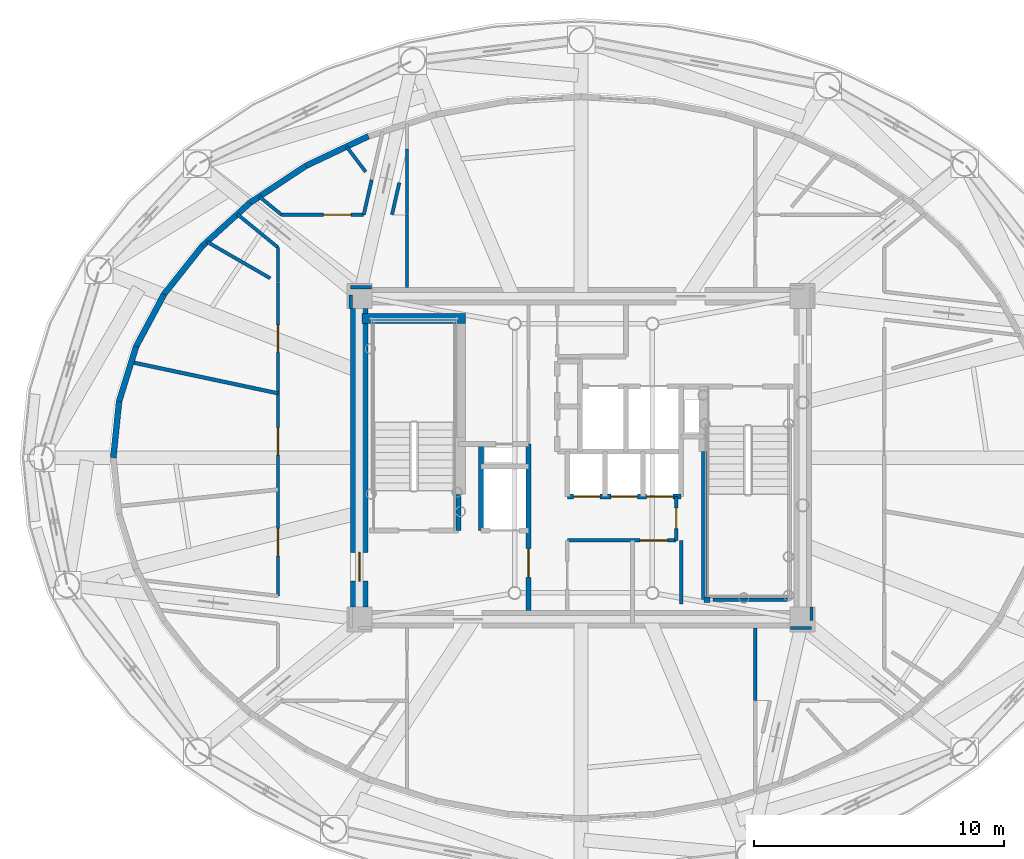
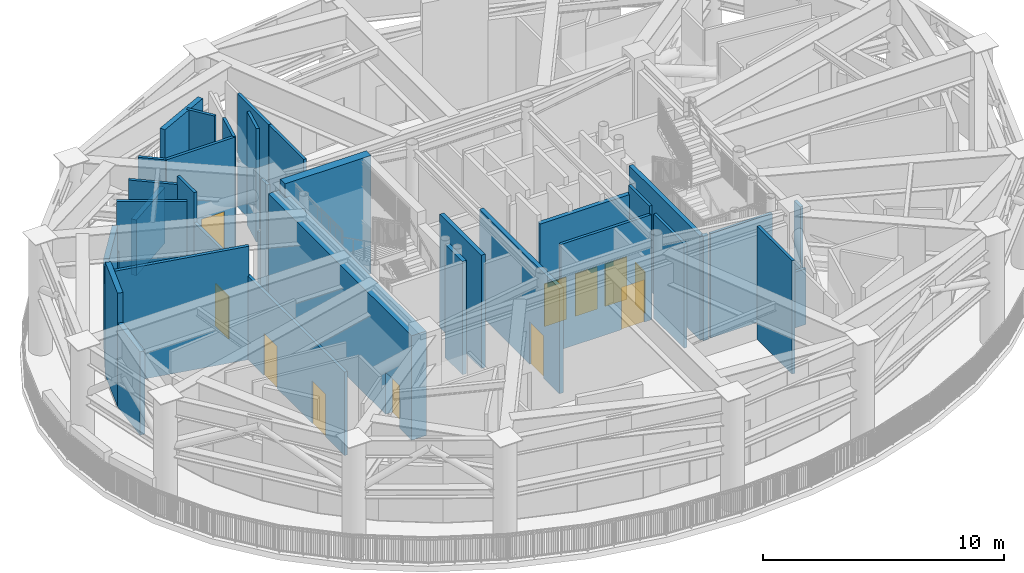
# One storey, part 8 of 17: 36 walls, 11 doors, 11 openings.
"""IFC4 building model written with IfcOpenShell, lengths in metres."""

from ifc_helpers import new_model, si_unit, direction, frame, frame_2d, origin, origin_2d, place, context, subcontext, project, spatial, rectangle, extrude, source, transform, mapped, material, layer, layer_set, type_object, element, fill, save


model = new_model("IFC4")

# Units and contexts
model_context = context("Model", 3, precision=1e-05, world=origin(), true_north=direction((0.0, 1.0)))
body_context = subcontext(model_context, "Body", "Model", "MODEL_VIEW")
ifc_project = project(units=[si_unit("LENGTHUNIT", "METRE"), si_unit("AREAUNIT", "SQUARE_METRE"), si_unit("VOLUMEUNIT", "CUBIC_METRE"), si_unit("PLANEANGLEUNIT", "RADIAN"), si_unit("MASSUNIT", "GRAM", prefix="KILO")], contexts=[model_context])

# Site, building, storey
site_placement = place(None, origin())
site = spatial("IfcSite", under=ifc_project, at=site_placement, CompositionType="ELEMENT")
building_placement = place(site_placement, origin())
building = spatial("IfcBuilding", under=site, at=building_placement, Name="Linh Dai School and Residence Tower", CompositionType="ELEMENT")
storey_placement = place(building_placement, frame((0.0, 0.0, 318.0)))
storey = spatial("IfcBuildingStorey", under=building, at=storey_placement, Name="L79", CompositionType="ELEMENT", Elevation=318.0)

# Walls
ifc_material_1 = material(Name="Precast Concrete B45 (C35/45)", Category="concrete")
ifc_layer_1 = layer(ifc_material_1, 0.239990234375)
ifc_layer_set_1 = layer_set([ifc_layer_1], Name="Precast Concrete B45 (C35/45)")
wall_type_1 = type_object("IfcWallType", Name="EW-TC-240", PredefinedType="SOLIDWALL", material=ifc_layer_set_1)
wall_1_placement = place(storey_placement, frame((25.010986328125, 38.654052734375, 0.0), z_axis=(0.0, 0.0, 1.0), x_axis=(0.903637179904, 0.428298782505, 0.0)))
element("IfcWall", 1, at=wall_1_placement, inside=storey, type_object=wall_type_1, Name="L79 Terracotta Exterior Wall 14", PredefinedType="SOLIDWALL", context=body_context, shape_type="SweptSolid", body=[
    extrude(rectangle(XDim=2.766357421875, YDim=0.239990234375, at=frame_2d((1.38330078125, 0.0))), origin(), (0.0, 0.0, 1.0), 5.75),
])
wall_2_placement = place(storey_placement, frame((22.782958984375, 37.182373046875, 0.0), z_axis=(0.0, 0.0, 1.0), x_axis=(0.834405901953, 0.551150424827, 0.0)))
element("IfcWall", 2, at=wall_2_placement, inside=storey, type_object=wall_type_1, Name="L79 Terracotta Exterior Wall 15", PredefinedType="SOLIDWALL", context=body_context, shape_type="SweptSolid", body=[
    extrude(rectangle(XDim=2.670166015625, YDim=0.239990234375, at=frame_2d((1.3349609375, 0.0))), origin(), (0.0, 0.0, 1.0), 2.83203125),
])
wall_3_placement = place(storey_placement, frame((20.881591796875, 35.460693359375, 0.0), z_axis=(0.0, 0.0, 1.0), x_axis=(0.741265131079, 0.671212340058, 0.0)))
element("IfcWall", 3, at=wall_3_placement, inside=storey, type_object=wall_type_1, Name="L79 Terracotta Exterior Wall 16", PredefinedType="SOLIDWALL", context=body_context, shape_type="SweptSolid", body=[
    extrude(rectangle(XDim=2.56494140625, YDim=0.239990234375, at=frame_2d((1.282470703125, 0.0))), origin(), (0.0, 0.0, 1.0), 2.83203125),
])
wall_4_placement = place(storey_placement, frame((19.353515625, 33.5322265625, 0.0), z_axis=(0.0, 0.0, 1.0), x_axis=(0.621045987707, 0.783774126361, 0.0)))
element("IfcWall", 4, at=wall_4_placement, inside=storey, type_object=wall_type_1, Name="L79 Terracotta Exterior Wall 17", PredefinedType="SOLIDWALL", context=body_context, shape_type="SweptSolid", body=[
    extrude(rectangle(XDim=2.46044921875, YDim=0.239990234375, at=frame_2d((1.230224609375, 0.0))), origin(), (0.0, 0.0, 1.0), 4.235107421875),
])
wall_5_placement = place(storey_placement, frame((18.2353515625, 31.444580078125, 0.0), z_axis=(0.0, 0.0, 1.0), x_axis=(0.472149891985, 0.881518280865, 0.0)))
element("IfcWall", 5, at=wall_5_placement, inside=storey, type_object=wall_type_1, Name="L79 Terracotta Exterior Wall 18", PredefinedType="SOLIDWALL", context=body_context, shape_type="SweptSolid", body=[
    extrude(rectangle(XDim=2.3681640625, YDim=0.239990234375, at=frame_2d((1.18408203125, 0.0))), origin(), (0.0, 0.0, 1.0), 4.235107421875),
])
wall_6_placement = place(storey_placement, frame((17.553955078125, 29.24951171875, 0.0), z_axis=(0.0, 0.0, 1.0), x_axis=(0.296466035026, 0.95504339696, 0.0)))
element("IfcWall", 6, at=wall_6_placement, inside=storey, type_object=wall_type_1, Name="L79 Terracotta Exterior Wall 19", PredefinedType="SOLIDWALL", context=body_context, shape_type="SweptSolid", body=[
    extrude(rectangle(XDim=2.29833984375, YDim=0.239990234375, at=frame_2d((1.149169921875, 0.0))), origin(), (0.0, 0.0, 1.0), 5.75),
])
wall_7_placement = place(storey_placement, frame((17.324951171875, 27.0, 0.0), z_axis=(0.0, 0.0, 1.0), x_axis=(0.101278157468, 0.994858148089, 0.0)))
element("IfcWall", 7, at=wall_7_placement, inside=storey, type_object=wall_type_1, Name="L79 Terracotta Exterior Wall 20", PredefinedType="SOLIDWALL", context=body_context, shape_type="SweptSolid", body=[
    extrude(rectangle(XDim=2.26123046875, YDim=0.239990234375, at=frame_2d((1.130615234375, 0.0))), origin(), (0.0, 0.0, 1.0), 4.235107421875),
])
ifc_material_2 = material(Name="Autoclaved Aerated Concrete Blockwork", Category="masonry")
ifc_layer_2 = layer(ifc_material_2, 0.135009765625)
ifc_layer_set_2 = layer_set([ifc_layer_2], Name="Autoclaved Aerated Concrete Blockwork")
wall_type_2 = type_object("IfcWallType", Name="IW-CORR-135-EI90", PredefinedType="PARTITIONING", material=ifc_layer_set_2)
wall_8_placement = place(storey_placement, frame((23.148681640625, 37.43017578125, 0.0), z_axis=(0.0, 0.0, 1.0), x_axis=(0.774324787676, -0.632788371568, 0.0)))
element("IfcWall", 8, at=wall_8_placement, inside=storey, type_object=wall_type_2, Name="L79 Interior Partition Wall 005", PredefinedType="PARTITIONING", context=body_context, shape_type="SweptSolid", body=[
    extrude(rectangle(XDim=1.154052734375, YDim=0.135009765625, at=frame_2d((0.5771484375, 0.0))), origin(), (0.0, 0.0, 1.0), 5.75),
])

# Wall, openings, doors
wall_9_placement = place(storey_placement, frame((23.89990234375, 21.481201171875, 0.0), z_axis=(0.0, 0.0, 1.0), x_axis=(0.0, 1.0, 0.0)))
wall_9 = element("IfcWall", 9, at=wall_9_placement, inside=storey, type_object=wall_type_2, Name="L79 Interior Partition Wall 006", PredefinedType="PARTITIONING", context=body_context, shape_type="SweptSolid", body=[
    extrude(rectangle(XDim=12.504638671875, YDim=0.135009765625, at=frame_2d((6.25244140625, 0.0))), origin(), (0.0, 0.0, 1.0), 4.235107421875),
])
opening_1_placement = place(wall_9_placement, frame((9.727783203125, 0.0, 0.0)))
opening_1 = element("IfcOpeningElement", 10, at=opening_1_placement, cuts=wall_9, Name="Opening D07", PredefinedType="OPENING", context=body_context, shape_type="SweptSolid", body=[
    extrude(rectangle(XDim=1.10009765625, YDim=2.14990234375, at=origin_2d()), frame((0.550048828125, 0.07763671875, 1.074951171875), z_axis=(0.0, -1.0, 0.0), x_axis=(1.0, 0.0, 0.0)), (0.0, 0.0, 1.0), 0.155029296875),
])
opening_2_placement = place(wall_9_placement, frame((5.618896484375, 0.0, 0.0)))
opening_2 = element("IfcOpeningElement", 11, at=opening_2_placement, cuts=wall_9, Name="Opening D07", PredefinedType="OPENING", context=body_context, shape_type="SweptSolid", body=[
    extrude(rectangle(XDim=1.10009765625, YDim=2.14990234375, at=origin_2d()), frame((0.550048828125, 0.07763671875, 1.074951171875), z_axis=(0.0, -1.0, 0.0), x_axis=(1.0, 0.0, 0.0)), (0.0, 0.0, 1.0), 0.155029296875),
])
opening_3_placement = place(wall_9_placement, frame((1.593505859375, 0.0, 0.0)))
opening_3 = element("IfcOpeningElement", 12, at=opening_3_placement, cuts=wall_9, Name="Opening D07", PredefinedType="OPENING", context=body_context, shape_type="SweptSolid", body=[
    extrude(rectangle(XDim=1.10009765625, YDim=2.14990234375, at=origin_2d()), frame((0.550048828125, 0.07763671875, 1.074951171875), z_axis=(0.0, -1.0, 0.0), x_axis=(1.0, 0.0, 0.0)), (0.0, 0.0, 1.0), 0.155029296875),
])
ifc_material_3 = material(Name="Fire-Rated Louvred Steel Plant Door", Category="steel")
door_type_1 = type_object("IfcDoorType", Name="DR-PLT-1100x2150-FD60S", OperationType="NOTDEFINED", PredefinedType="DOOR", material=ifc_material_3)
shared_shape_1 = source(origin(), body_context, "Body", "SweptSolid", [
    extrude(rectangle(XDim=1.10009765625, YDim=2.14990234375, at=origin_2d()), frame((0.550048828125, 0.02490234375, 1.074951171875), z_axis=(0.0, -1.0, 0.0), x_axis=(1.0, 0.0, 0.0)), (0.0, 0.0, 1.0), 0.050048828125),
])
door_1_placement = place(opening_1_placement, origin())
door_1 = element("IfcDoor", 13, at=door_1_placement, inside=storey, type_object=door_type_1, Name="L79 Heat-Recovery Ventilation Plant Room West 1 Door", OperationType="SINGLE_SWING_LEFT", OverallHeight=2.14990234375, OverallWidth=1.10009765625, PredefinedType="DOOR", context=body_context, shape_type="MappedRepresentation", body=[
    mapped(shared_shape_1, transform((0.0, 0.0, 0.0), x_axis=(1.0, 0.0, 0.0), y_axis=(0.0, 1.0, 0.0), z_axis=(0.0, 0.0, 1.0), scale=1.0)),
])
fill(opening_1, door_1)
door_2_placement = place(opening_2_placement, origin())
door_2 = element("IfcDoor", 14, at=door_2_placement, inside=storey, type_object=door_type_1, Name="L79 Chilled-Water Heat-Exchanger Plant Room West Door", OperationType="SINGLE_SWING_RIGHT", OverallHeight=2.14990234375, OverallWidth=1.10009765625, PredefinedType="DOOR", context=body_context, shape_type="MappedRepresentation", body=[
    mapped(shared_shape_1, transform((0.0, 0.0, 0.0), x_axis=(1.0, 0.0, 0.0), y_axis=(0.0, 1.0, 0.0), z_axis=(0.0, 0.0, 1.0), scale=1.0)),
])
fill(opening_2, door_2)
door_3_placement = place(opening_3_placement, origin())
door_3 = element("IfcDoor", 15, at=door_3_placement, inside=storey, type_object=door_type_1, Name="L79 Heat-Recovery Ventilation Plant Room West 2 Door", OperationType="SINGLE_SWING_LEFT", OverallHeight=2.14990234375, OverallWidth=1.10009765625, PredefinedType="DOOR", context=body_context, shape_type="MappedRepresentation", body=[
    mapped(shared_shape_1, transform((0.0, 0.0, 0.0), x_axis=(1.0, 0.0, 0.0), y_axis=(0.0, 1.0, 0.0), z_axis=(0.0, 0.0, 1.0), scale=1.0)),
])
fill(opening_3, door_3)

# Wall, opening, door
wall_10_placement = place(storey_placement, frame((24.042236328125, 36.699951171875, 0.0), z_axis=(0.0, 0.0, 1.0), x_axis=(1.0, 0.0, 0.0)))
wall_10 = element("IfcWall", 16, at=wall_10_placement, inside=storey, type_object=wall_type_2, Name="L79 Interior Partition Wall 008", PredefinedType="PARTITIONING", context=body_context, shape_type="SweptSolid", body=[
    extrude(rectangle(XDim=3.2822265625, YDim=0.135009765625, at=frame_2d((1.64111328125, 0.0))), origin(), (0.0, 0.0, 1.0), 5.75),
])
opening_4_placement = place(wall_10_placement, frame((1.673828125, 0.0, 0.0)))
opening_4 = element("IfcOpeningElement", 17, at=opening_4_placement, cuts=wall_10, Name="Opening D07", PredefinedType="OPENING", context=body_context, shape_type="SweptSolid", body=[
    extrude(rectangle(XDim=1.10009765625, YDim=2.14990234375, at=origin_2d()), frame((0.550048828125, 0.07763671875, 1.074951171875), z_axis=(0.0, -1.0, 0.0), x_axis=(1.0, 0.0, 0.0)), (0.0, 0.0, 1.0), 0.155029296875),
])
door_4_placement = place(opening_4_placement, origin())
door_4 = element("IfcDoor", 18, at=door_4_placement, inside=storey, type_object=door_type_1, Name="L79 Zone LV Switchboard Plant Room Door", OperationType="SINGLE_SWING_RIGHT", OverallHeight=2.14990234375, OverallWidth=1.10009765625, PredefinedType="DOOR", context=body_context, shape_type="MappedRepresentation", body=[
    mapped(shared_shape_1, transform((0.0, 0.0, 0.0), x_axis=(1.0, 0.0, 0.0), y_axis=(0.0, 1.0, 0.0), z_axis=(0.0, 0.0, 1.0), scale=1.0)),
])
fill(opening_4, door_4)

# Walls
wall_11_placement = place(storey_placement, frame((27.324462890625, 36.699951171875, 0.0), z_axis=(0.0, 0.0, 1.0), x_axis=(0.221525059427, 0.975154679036, 0.0)))
element("IfcWall", 19, at=wall_11_placement, inside=storey, type_object=wall_type_2, Name="L79 Interior Partition Wall 010", PredefinedType="PARTITIONING", context=body_context, shape_type="SweptSolid", body=[
    extrude(rectangle(XDim=1.42822265625, YDim=0.135009765625, at=frame_2d((0.714111328125, 0.0))), origin(), (0.0, 0.0, 1.0), 5.75),
])
wall_12_placement = place(storey_placement, frame((29.050048828125, 33.800048828125, 0.0), z_axis=(0.0, 0.0, 1.0), x_axis=(0.0, 1.0, 0.0)))
element("IfcWall", 20, at=wall_12_placement, inside=storey, type_object=wall_type_2, Name="L79 Interior Partition Wall 013", PredefinedType="PARTITIONING", context=body_context, shape_type="SweptSolid", body=[
    extrude(rectangle(XDim=2.89990234375, YDim=0.135009765625, at=frame_2d((1.449951171875, 0.0))), origin(), (0.0, 0.0, 1.0), 5.75),
])

# Wall, opening, door
wall_13_placement = place(storey_placement, frame((35.449951171875, 23.699951171875, 0.0), z_axis=(0.0, 0.0, 1.0), x_axis=(1.0, 0.0, 0.0)))
wall_13 = element("IfcWall", 21, at=wall_13_placement, inside=storey, type_object=wall_type_2, Name="L79 Interior Partition Wall 029", PredefinedType="PARTITIONING", context=body_context, shape_type="SweptSolid", body=[
    extrude(rectangle(XDim=4.35009765625, YDim=0.135009765625, at=frame_2d((2.175048828125, 0.0))), origin(), (0.0, 0.0, 1.0), 5.3349609375),
])
opening_5_placement = place(wall_13_placement, frame((2.905029296875, 0.0, 0.0)))
opening_5 = element("IfcOpeningElement", 22, at=opening_5_placement, cuts=wall_13, Name="Opening D07", PredefinedType="OPENING", context=body_context, shape_type="SweptSolid", body=[
    extrude(rectangle(XDim=1.10009765625, YDim=2.14990234375, at=origin_2d()), frame((0.550048828125, 0.07763671875, 1.074951171875), z_axis=(0.0, -1.0, 0.0), x_axis=(1.0, 0.0, 0.0)), (0.0, 0.0, 1.0), 0.155029296875),
])
door_5_placement = place(opening_5_placement, origin())
door_5 = element("IfcDoor", 23, at=door_5_placement, inside=storey, type_object=door_type_1, Name="L79 Telecom Node Room Door", OperationType="SINGLE_SWING_LEFT", OverallHeight=2.14990234375, OverallWidth=1.10009765625, PredefinedType="DOOR", context=body_context, shape_type="MappedRepresentation", body=[
    mapped(shared_shape_1, transform((0.0, 0.0, 0.0), x_axis=(1.0, 0.0, 0.0), y_axis=(0.0, 1.0, 0.0), z_axis=(0.0, 0.0, 1.0), scale=1.0)),
])
fill(opening_5, door_5)

wall_14_placement = place(storey_placement, frame((39.800048828125, 23.699951171875, 0.0), z_axis=(0.0, 0.0, 1.0), x_axis=(0.0, 1.0, 0.0)))
wall_14 = element("IfcWall", 24, at=wall_14_placement, inside=storey, type_object=wall_type_2, Name="L79 Interior Partition Wall 040", PredefinedType="PARTITIONING", context=body_context, shape_type="SweptSolid", body=[
    extrude(rectangle(XDim=1.75, YDim=0.135009765625, at=frame_2d((0.875, 0.0))), origin(), (0.0, 0.0, 1.0), 5.75),
])
opening_6_placement = place(wall_14_placement, frame((0.465087890625, 0.0, 0.0)))
opening_6 = element("IfcOpeningElement", 25, at=opening_6_placement, cuts=wall_14, Name="Opening D06", PredefinedType="OPENING", context=body_context, shape_type="SweptSolid", body=[
    extrude(rectangle(XDim=0.820068359375, YDim=2.10009765625, at=origin_2d()), frame((0.41015625, 0.07763671875, 1.050048828125), z_axis=(0.0, -1.0, 0.0), x_axis=(1.0, 0.0, 0.0)), (0.0, 0.0, 1.0), 0.155029296875),
])
ifc_material_4 = material(Name="Moisture-Resistant Timber Bathroom Door", Category="wood")
door_type_2 = type_object("IfcDoorType", Name="DR-WET-820x2100", OperationType="NOTDEFINED", PredefinedType="DOOR", material=ifc_material_4)
shared_shape_2 = source(origin(), body_context, "Body", "SweptSolid", [
    extrude(rectangle(XDim=0.820068359375, YDim=2.10009765625, at=origin_2d()), frame((0.41015625, 0.02490234375, 1.050048828125), z_axis=(0.0, -1.0, 0.0), x_axis=(1.0, 0.0, 0.0)), (0.0, 0.0, 1.0), 0.050048828125),
])
door_6_placement = place(opening_6_placement, origin())
door_6 = element("IfcDoor", 26, at=door_6_placement, inside=storey, type_object=door_type_2, Name="L79 East Linen Store Door", OperationType="SINGLE_SWING_RIGHT", OverallHeight=2.10009765625, OverallWidth=0.820068359375, PredefinedType="DOOR", context=body_context, shape_type="MappedRepresentation", body=[
    mapped(shared_shape_2, transform((0.0, 0.0, 0.0), x_axis=(1.0, 0.0, 0.0), y_axis=(0.0, 1.0, 0.0), z_axis=(0.0, 0.0, 1.0), scale=1.0)),
])
fill(opening_6, door_6)

# Walls
wall_15_placement = place(storey_placement, frame((42.949951171875, 17.300048828125, 0.0), z_axis=(0.0, 0.0, 1.0), x_axis=(0.0, 1.0, 0.0)))
element("IfcWall", 27, at=wall_15_placement, inside=storey, type_object=wall_type_2, Name="L79 Interior Partition Wall 046", PredefinedType="PARTITIONING", context=body_context, shape_type="SweptSolid", body=[
    extrude(rectangle(XDim=2.89990234375, YDim=0.135009765625, at=frame_2d((1.449951171875, 0.0))), origin(), (0.0, 0.0, 1.0), 5.75),
])
wall_16_placement = place(storey_placement, frame((44.239990234375, 21.330078125, 0.0), z_axis=(0.0, 0.0, 1.0), x_axis=(-1.0, 0.0, 0.0)))
element("IfcWall", 28, at=wall_16_placement, inside=storey, type_object=wall_type_2, Name="L79 Interior Partition Wall 054", PredefinedType="PARTITIONING", context=body_context, shape_type="SweptSolid", body=[
    extrude(rectangle(XDim=2.97998046875, YDim=0.135009765625, at=frame_2d((1.489990234375, 0.0))), origin(), (0.0, 0.0, 1.0), 5.284912109375),
])
wall_17_placement = place(storey_placement, frame((40.0, 23.699951171875, 0.0), z_axis=(0.0, 0.0, 1.0), x_axis=(0.0, -1.0, 0.0)))
element("IfcWall", 29, at=wall_17_placement, inside=storey, type_object=wall_type_2, Name="L79 Interior Partition Wall 055", PredefinedType="PARTITIONING", context=body_context, shape_type="SweptSolid", body=[
    extrude(rectangle(XDim=2.5400390625, YDim=0.135009765625, at=frame_2d((1.27001953125, 0.0))), origin(), (0.0, 0.0, 1.0), 5.284912109375),
])
wall_18_placement = place(storey_placement, frame((29.050048828125, 36.7099609375, 0.0), z_axis=(0.0, 0.0, 1.0), x_axis=(0.0, 1.0, 0.0)))
element("IfcWall", 30, at=wall_18_placement, inside=storey, type_object=wall_type_2, Name="L79 Interior Partition Wall 056", PredefinedType="PARTITIONING", context=body_context, shape_type="SweptSolid", body=[
    extrude(rectangle(XDim=2.60986328125, YDim=0.135009765625, at=frame_2d((1.304931640625, 0.0))), origin(), (0.0, 0.0, 1.0), 5.75),
])
wall_19_placement = place(storey_placement, frame((23.89990234375, 33.995849609375, 0.0), z_axis=(0.0, 0.0, 1.0), x_axis=(0.0, 1.0, 0.0)))
element("IfcWall", 31, at=wall_19_placement, inside=storey, type_object=wall_type_2, Name="L79 Interior Partition Wall 061", PredefinedType="PARTITIONING", context=body_context, shape_type="SweptSolid", body=[
    extrude(rectangle(XDim=1.39990234375, YDim=0.135009765625, at=frame_2d((0.699951171875, 0.0))), origin(), (0.0, 0.0, 1.0), 5.75),
])
wall_20_placement = place(storey_placement, frame((23.89990234375, 35.395751953125, 0.0), z_axis=(0.0, 0.0, 1.0), x_axis=(-0.774324461251, 0.632788771003, 0.0)))
element("IfcWall", 32, at=wall_20_placement, inside=storey, type_object=wall_type_2, Name="L79 Interior Partition Wall 062", PredefinedType="PARTITIONING", context=body_context, shape_type="SweptSolid", body=[
    extrude(rectangle(XDim=2.102783203125, YDim=0.135009765625, at=frame_2d((1.05126953125, 0.0))), origin(), (0.0, 0.0, 1.0), 5.3349609375),
])
wall_21_placement = place(storey_placement, frame((28.742431640625, 37.976318359375, 0.0), z_axis=(0.0, 0.0, 1.0), x_axis=(-0.221588855945, -0.975140184241, 0.0)))
element("IfcWall", 33, at=wall_21_placement, inside=storey, type_object=wall_type_2, Name="L79 Interior Partition Wall 064", PredefinedType="PARTITIONING", context=body_context, shape_type="SweptSolid", body=[
    extrude(rectangle(XDim=1.308837890625, YDim=0.135009765625, at=frame_2d((0.654296875, 0.0))), origin(), (0.0, 0.0, 1.0), 5.75),
])
wall_22_placement = place(storey_placement, frame((27.639892578125, 33.800048828125, 0.0), z_axis=(0.0, 0.0, 1.0), x_axis=(-1.0, 0.0, 0.0)))
element("IfcWall", 34, at=wall_22_placement, inside=storey, type_object=wall_type_2, Name="L79 Interior Partition Wall 065", PredefinedType="PARTITIONING", context=body_context, shape_type="SweptSolid", body=[
    extrude(rectangle(XDim=0.83984375, YDim=0.135009765625, at=frame_2d((0.419921875, 0.0))), origin(), (0.0, 0.0, 1.0), 2.83203125),
])
wall_23_placement = place(storey_placement, frame((26.800048828125, 33.492431640625, 0.0), z_axis=(0.0, 0.0, 1.0), x_axis=(0.0, -1.0, 0.0)))
element("IfcWall", 35, at=wall_23_placement, inside=storey, type_object=wall_type_2, Name="L79 Interior Partition Wall 066", PredefinedType="PARTITIONING", context=body_context, shape_type="SweptSolid", body=[
    extrude(rectangle(XDim=0.532470703125, YDim=0.135009765625, at=frame_2d((0.26611328125, 0.0))), origin(), (0.0, 0.0, 1.0), 5.75),
])
wall_24_placement = place(storey_placement, frame((44.360107421875, 20.199951171875, 0.0), z_axis=(0.0, 0.0, 1.0), x_axis=(1.0, 0.0, 0.0)))
element("IfcWall", 36, at=wall_24_placement, inside=storey, type_object=wall_type_2, Name="L79 Interior Partition Wall 071", PredefinedType="PARTITIONING", context=body_context, shape_type="SweptSolid", body=[
    extrude(rectangle(XDim=0.83984375, YDim=0.135009765625, at=frame_2d((0.419921875, 0.0))), origin(), (0.0, 0.0, 1.0), 2.83203125),
])
wall_25_placement = place(storey_placement, frame((45.199951171875, 20.507568359375, 0.0), z_axis=(0.0, 0.0, 1.0), x_axis=(0.0, 1.0, 0.0)))
element("IfcWall", 37, at=wall_25_placement, inside=storey, type_object=wall_type_2, Name="L79 Interior Partition Wall 072", PredefinedType="PARTITIONING", context=body_context, shape_type="SweptSolid", body=[
    extrude(rectangle(XDim=0.532470703125, YDim=0.135009765625, at=frame_2d((0.26611328125, 0.0))), origin(), (0.0, 0.0, 1.0), 5.75),
])
wall_26_placement = place(storey_placement, frame((26.634033203125, 39.428955078125, 0.0), z_axis=(0.0, 0.0, 1.0), x_axis=(0.601843134743, -0.798614325668, 0.0)))
element("IfcWall", 38, at=wall_26_placement, inside=storey, type_object=wall_type_2, Name="L79 Interior Partition Wall 087", PredefinedType="PARTITIONING", context=body_context, shape_type="SweptSolid", body=[
    extrude(rectangle(XDim=1.2705078125, YDim=0.135009765625, at=frame_2d((0.63525390625, 0.0))), origin(), (0.0, 0.0, 1.0), 5.75),
])
wall_27_placement = place(storey_placement, frame((21.0576171875, 35.626953125, 0.0), z_axis=(0.0, 0.0, 1.0), x_axis=(0.866048079195, -0.49996072298, 0.0)))
element("IfcWall", 39, at=wall_27_placement, inside=storey, type_object=wall_type_2, Name="L79 Interior Partition Wall 088", PredefinedType="PARTITIONING", context=body_context, shape_type="SweptSolid", body=[
    extrude(rectangle(XDim=2.927001953125, YDim=0.135009765625, at=frame_2d((1.46337890625, 0.0))), origin(), (0.0, 0.0, 1.0), 5.3349609375),
])
ifc_layer_3 = layer(ifc_material_2, 0.14990234375)
ifc_layer_set_3 = layer_set([ifc_layer_3], Name="Autoclaved Aerated Concrete Blockwork")
wall_type_3 = type_object("IfcWallType", Name="IW-SCH-150-EI60", PredefinedType="PARTITIONING", material=ifc_layer_set_3)
wall_28_placement = place(storey_placement, frame((18.03564453125, 30.818359375, 0.0), z_axis=(0.0, 0.0, 1.0), x_axis=(0.978152640753, -0.207887977979, 0.0)))
element("IfcWall", 40, at=wall_28_placement, inside=storey, type_object=wall_type_3, Name="L79 Interior Partition Wall 002", PredefinedType="PARTITIONING", context=body_context, shape_type="SweptSolid", body=[
    extrude(rectangle(XDim=5.9951171875, YDim=0.14990234375, at=frame_2d((2.99755859375, 0.0))), origin(), (0.0, 0.0, 1.0), 5.75),
])
ifc_material_5 = material(Name="Concrete B45 (C35/45)", Category="concrete")
ifc_layer_4 = layer(ifc_material_5, 0.199951171875)
ifc_layer_set_4 = layer_set([ifc_layer_4], Name="Concrete B45 (C35/45)")
wall_type_4 = type_object("IfcWallType", Name="IW-SHAFT-200-EI120", PredefinedType="PARTITIONING", material=ifc_layer_set_4)
wall_29_placement = place(storey_placement, frame((31.10009765625, 24.10009765625, 0.0), z_axis=(0.0, 0.0, 1.0), x_axis=(0.0, 1.0, 0.0)))
element("IfcWall", 41, at=wall_29_placement, inside=storey, type_object=wall_type_4, Name="L79 Interior Partition Wall 015", PredefinedType="PARTITIONING", context=body_context, shape_type="SweptSolid", body=[
    extrude(rectangle(XDim=1.43994140625, YDim=0.199951171875, at=frame_2d((0.719970703125, 0.0))), origin(), (0.0, 0.0, 1.0), 5.75),
])
wall_30_placement = place(storey_placement, frame((32.0, 24.10009765625, 0.0), z_axis=(0.0, 0.0, 1.0), x_axis=(0.0, 1.0, 0.0)))
element("IfcWall", 42, at=wall_30_placement, inside=storey, type_object=wall_type_4, Name="L79 Interior Partition Wall 017", PredefinedType="PARTITIONING", context=body_context, shape_type="SweptSolid", body=[
    extrude(rectangle(XDim=3.449951171875, YDim=0.199951171875, at=frame_2d((1.72509765625, 0.0))), origin(), (0.0, 0.0, 1.0), 5.75),
])

# Wall, opening, door
wall_31_placement = place(storey_placement, frame((33.89990234375, 20.89990234375, 0.0), z_axis=(0.0, 0.0, 1.0), x_axis=(0.0, 1.0, 0.0)))
wall_31 = element("IfcWall", 43, at=wall_31_placement, inside=storey, type_object=wall_type_4, Name="L79 Interior Partition Wall 020", PredefinedType="PARTITIONING", context=body_context, shape_type="SweptSolid", body=[
    extrude(rectangle(XDim=6.650146484375, YDim=0.199951171875, at=frame_2d((3.3251953125, 0.0))), origin(), (0.0, 0.0, 1.0), 5.3349609375),
])
opening_7_placement = place(wall_31_placement, frame((1.322509765625, 0.0, 0.0)))
opening_7 = element("IfcOpeningElement", 44, at=opening_7_placement, cuts=wall_31, Name="Opening D02", PredefinedType="OPENING", context=body_context, shape_type="SweptSolid", body=[
    extrude(rectangle(XDim=1.14990234375, YDim=2.14990234375, at=origin_2d()), frame((0.574951171875, 0.10986328125, 1.074951171875), z_axis=(0.0, -1.0, 0.0), x_axis=(1.0, 0.0, 0.0)), (0.0, 0.0, 1.0), 0.219970703125),
])
ifc_material_6 = material(Name="Fire-Rated Glazed Steel Lobby Door", Category="steel")
door_type_3 = type_object("IfcDoorType", Name="DR-LOBBY-1150x2150-FD90S", OperationType="NOTDEFINED", PredefinedType="DOOR", material=ifc_material_6)
shared_shape_3 = source(origin(), body_context, "Body", "SweptSolid", [
    extrude(rectangle(XDim=1.14990234375, YDim=2.14990234375, at=origin_2d()), frame((0.574951171875, 0.02490234375, 1.074951171875), z_axis=(0.0, -1.0, 0.0), x_axis=(1.0, 0.0, 0.0)), (0.0, 0.0, 1.0), 0.050048828125),
])
door_7_placement = place(opening_7_placement, origin())
door_7 = element("IfcDoor", 45, at=door_7_placement, inside=storey, type_object=door_type_3, Name="L79 Passenger Foyer Access Door", OperationType="SINGLE_SWING_LEFT", OverallHeight=2.14990234375, OverallWidth=1.14990234375, PredefinedType="DOOR", context=body_context, shape_type="MappedRepresentation", body=[
    mapped(shared_shape_3, transform((0.0, 0.0, 0.0), x_axis=(1.0, 0.0, 0.0), y_axis=(0.0, 1.0, 0.0), z_axis=(0.0, 0.0, 1.0), scale=1.0)),
])
fill(opening_7, door_7)

# Wall, openings, doors
wall_32_placement = place(storey_placement, frame((35.449951171875, 25.449951171875, 0.0), z_axis=(0.0, 0.0, 1.0), x_axis=(1.0, 0.0, 0.0)))
wall_32 = element("IfcWall", 46, at=wall_32_placement, inside=storey, type_object=wall_type_4, Name="L79 Interior Partition Wall 031", PredefinedType="PARTITIONING", context=body_context, shape_type="SweptSolid", body=[
    extrude(rectangle(XDim=4.550048828125, YDim=0.199951171875, at=frame_2d((2.27490234375, 0.0))), origin(), (0.0, 0.0, 1.0), 5.3349609375),
])
opening_8_placement = place(wall_32_placement, frame((0.25, 0.0, 0.0)))
opening_8 = element("IfcOpeningElement", 47, at=opening_8_placement, cuts=wall_32, Name="Opening LD-PL7", PredefinedType="OPENING", context=body_context, shape_type="SweptSolid", body=[
    extrude(rectangle(XDim=1.050048828125, YDim=2.14990234375, at=origin_2d()), frame((0.52490234375, 0.10986328125, 1.074951171875), z_axis=(0.0, -1.0, 0.0), x_axis=(1.0, 0.0, 0.0)), (0.0, 0.0, 1.0), 0.219970703125),
])
opening_9_placement = place(wall_32_placement, frame((1.7451171875, 0.0, 0.0)))
opening_9 = element("IfcOpeningElement", 48, at=opening_9_placement, cuts=wall_32, Name="Opening LD-PL8", PredefinedType="OPENING", context=body_context, shape_type="SweptSolid", body=[
    extrude(rectangle(XDim=1.050048828125, YDim=2.14990234375, at=origin_2d()), frame((0.52490234375, 0.10986328125, 1.074951171875), z_axis=(0.0, -1.0, 0.0), x_axis=(1.0, 0.0, 0.0)), (0.0, 0.0, 1.0), 0.219970703125),
])
opening_10_placement = place(wall_32_placement, frame((3.1650390625, 0.0, 0.0)))
opening_10 = element("IfcOpeningElement", 49, at=opening_10_placement, cuts=wall_32, Name="Opening LD-PL9", PredefinedType="OPENING", context=body_context, shape_type="SweptSolid", body=[
    extrude(rectangle(XDim=1.050048828125, YDim=2.14990234375, at=origin_2d()), frame((0.52490234375, 0.10986328125, 1.074951171875), z_axis=(0.0, -1.0, 0.0), x_axis=(1.0, 0.0, 0.0)), (0.0, 0.0, 1.0), 0.219970703125),
])
ifc_material_7 = material(Name="Brushed Stainless Steel Lift Landing Door", Category="steel")
door_type_4 = type_object("IfcDoorType", Name="DR-LD-PASS-1050x2150", OperationType="DOUBLE_DOOR_SLIDING", PredefinedType="USERDEFINED", material=ifc_material_7)
shared_shape_4 = source(origin(), body_context, "Body", "SweptSolid", [
    extrude(rectangle(XDim=1.050048828125, YDim=2.14990234375, at=origin_2d()), frame((0.52490234375, 0.02490234375, 1.074951171875), z_axis=(0.0, -1.0, 0.0), x_axis=(1.0, 0.0, 0.0)), (0.0, 0.0, 1.0), 0.050048828125),
])
door_8_placement = place(opening_8_placement, origin())
door_8 = element("IfcDoor", 50, at=door_8_placement, inside=storey, type_object=door_type_4, Name="L79 Lift PL7 Sliding Landing Door", ObjectType="LANDING DOOR", OperationType="DOUBLE_DOOR_SLIDING", OverallHeight=2.14990234375, OverallWidth=1.050048828125, PredefinedType="USERDEFINED", context=body_context, shape_type="MappedRepresentation", body=[
    mapped(shared_shape_4, transform((0.0, 0.0, 0.0), x_axis=(1.0, 0.0, 0.0), y_axis=(0.0, 1.0, 0.0), z_axis=(0.0, 0.0, 1.0), scale=1.0)),
])
fill(opening_8, door_8)
door_9_placement = place(opening_9_placement, origin())
door_9 = element("IfcDoor", 51, at=door_9_placement, inside=storey, type_object=door_type_4, Name="L79 Lift PL8 Sliding Landing Door", ObjectType="LANDING DOOR", OperationType="DOUBLE_DOOR_SLIDING", OverallHeight=2.14990234375, OverallWidth=1.050048828125, PredefinedType="USERDEFINED", context=body_context, shape_type="MappedRepresentation", body=[
    mapped(shared_shape_4, transform((0.0, 0.0, 0.0), x_axis=(1.0, 0.0, 0.0), y_axis=(0.0, 1.0, 0.0), z_axis=(0.0, 0.0, 1.0), scale=1.0)),
])
fill(opening_9, door_9)
door_10_placement = place(opening_10_placement, origin())
door_10 = element("IfcDoor", 52, at=door_10_placement, inside=storey, type_object=door_type_4, Name="L79 Lift PL9 Sliding Landing Door", ObjectType="LANDING DOOR", OperationType="DOUBLE_DOOR_SLIDING", OverallHeight=2.14990234375, OverallWidth=1.050048828125, PredefinedType="USERDEFINED", context=body_context, shape_type="MappedRepresentation", body=[
    mapped(shared_shape_4, transform((0.0, 0.0, 0.0), x_axis=(1.0, 0.0, 0.0), y_axis=(0.0, 1.0, 0.0), z_axis=(0.0, 0.0, 1.0), scale=1.0)),
])
fill(opening_10, door_10)

# Walls
wall_33_placement = place(storey_placement, frame((40.89990234375, 21.330078125, 0.0), z_axis=(0.0, 0.0, 1.0), x_axis=(0.0, 1.0, 0.0)))
element("IfcWall", 53, at=wall_33_placement, inside=storey, type_object=wall_type_4, Name="L79 Interior Partition Wall 043", PredefinedType="PARTITIONING", context=body_context, shape_type="SweptSolid", body=[
    extrude(rectangle(XDim=5.909912109375, YDim=0.199951171875, at=frame_2d((2.955078125, 0.0))), origin(), (0.0, 0.0, 1.0), 5.284912109375),
])
wall_34_placement = place(storey_placement, frame((40.89990234375, 21.330078125, 0.0), z_axis=(0.0, 0.0, 1.0), x_axis=(1.0, 0.0, 0.0)))
element("IfcWall", 54, at=wall_34_placement, inside=storey, type_object=wall_type_4, Name="L79 Interior Partition Wall 044", PredefinedType="PARTITIONING", context=body_context, shape_type="SweptSolid", body=[
    extrude(rectangle(XDim=0.25, YDim=0.199951171875, at=frame_2d((0.125, 0.0))), origin(), (0.0, 0.0, 1.0), 5.284912109375),
])
ifc_layer_5 = layer(ifc_material_5, 0.39990234375)
ifc_layer_set_5 = layer_set([ifc_layer_5], Name="Concrete B45 (C35/45)")
wall_type_5 = type_object("IfcWallType", Name="WL-CORE400", PredefinedType="SHEAR", material=ifc_layer_set_5)
wall_35_placement = place(storey_placement, frame((27.25, 32.550048828125, 0.0), z_axis=(0.0, 0.0, 1.0), x_axis=(1.0, 0.0, 0.0)))
element("IfcWall", 55, at=wall_35_placement, inside=storey, type_object=wall_type_5, Name="L79 Core Stair ST1 Bearing Wall N", PredefinedType="SHEAR", context=body_context, shape_type="SweptSolid", body=[
    extrude(rectangle(XDim=4.1298828125, YDim=0.39990234375, at=frame_2d((2.06494140625, 0.0))), origin(), (0.0, 0.0, 1.0), 6.0),
])

# Wall, opening, door
ifc_layer_6 = layer(ifc_material_5, 0.699951171875)
ifc_layer_set_6 = layer_set([ifc_layer_6], Name="Concrete B45 (C35/45)")
wall_type_6 = type_object("IfcWallType", Name="WL-CORE700", PredefinedType="SHEAR", material=ifc_layer_set_6)
wall_36_placement = place(storey_placement, frame((27.14990234375, 21.050048828125, 0.0), z_axis=(0.0, 0.0, 1.0), x_axis=(0.0, 1.0, 0.0)))
wall_36 = element("IfcWall", 56, at=wall_36_placement, inside=storey, type_object=wall_type_6, Name="L79 Central Core Shear Wall W", PredefinedType="SHEAR", context=body_context, shape_type="SweptSolid", body=[
    extrude(rectangle(XDim=11.89990234375, YDim=0.699951171875, at=frame_2d((5.949951171875, 0.0))), origin(), (0.0, 0.0, 1.0), 5.300048828125),
])
opening_11_placement = place(wall_36_placement, frame((1.02490234375, 0.0, 0.0)))
opening_11 = element("IfcOpeningElement", 57, at=opening_11_placement, cuts=wall_36, Name="Opening D02", PredefinedType="OPENING", context=body_context, shape_type="SweptSolid", body=[
    extrude(rectangle(XDim=1.14990234375, YDim=2.14990234375, at=origin_2d()), frame((0.574951171875, 0.35986328125, 1.074951171875), z_axis=(0.0, -1.0, 0.0), x_axis=(1.0, 0.0, 0.0)), (0.0, 0.0, 1.0), 0.719970703125),
])
door_11_placement = place(opening_11_placement, origin())
door_11 = element("IfcDoor", 58, at=door_11_placement, inside=storey, type_object=door_type_3, Name="L79 Firefighting Lobby Door", OperationType="SINGLE_SWING_RIGHT", OverallHeight=2.14990234375, OverallWidth=1.14990234375, PredefinedType="DOOR", context=body_context, shape_type="MappedRepresentation", body=[
    mapped(shared_shape_3, transform((0.0, 0.0, 0.0), x_axis=(1.0, 0.0, 0.0), y_axis=(0.0, 1.0, 0.0), z_axis=(0.0, 0.0, 1.0), scale=1.0)),
])
fill(opening_11, door_11)

save(model, "model.ifc")
